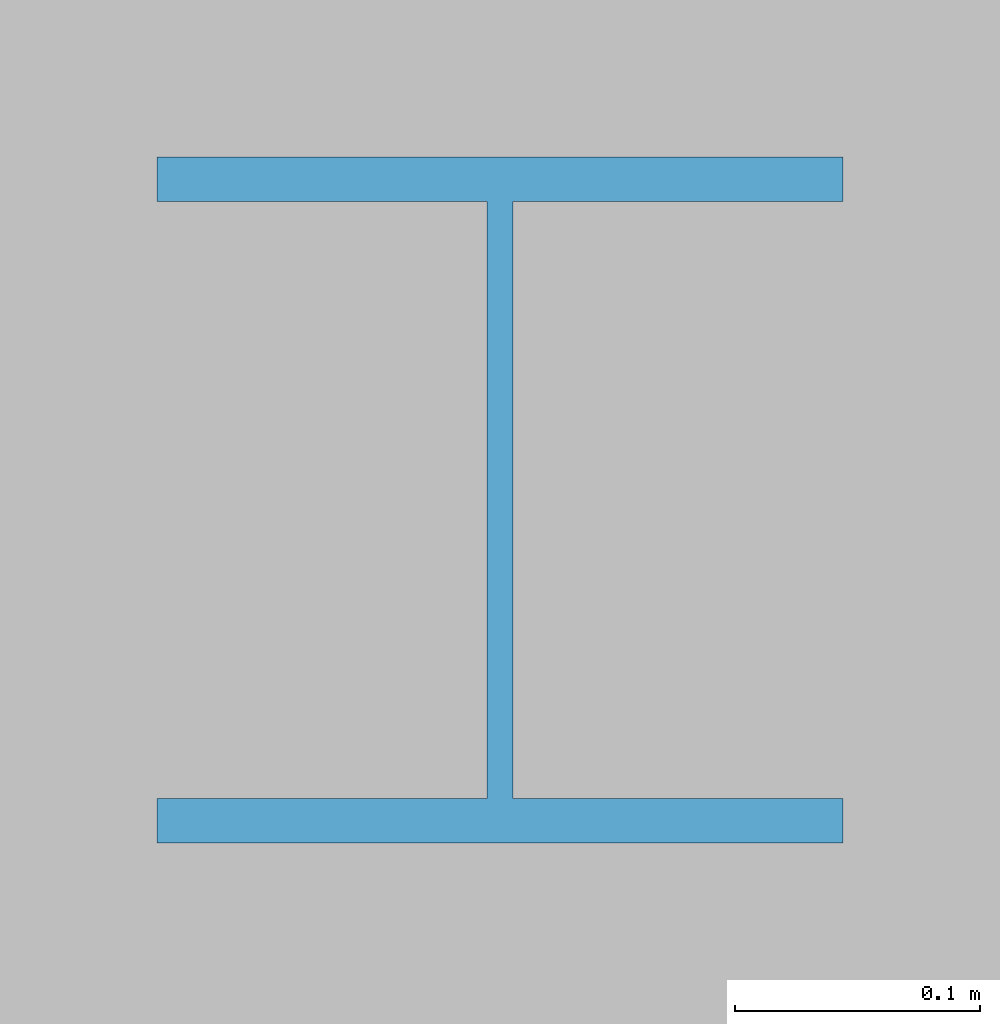
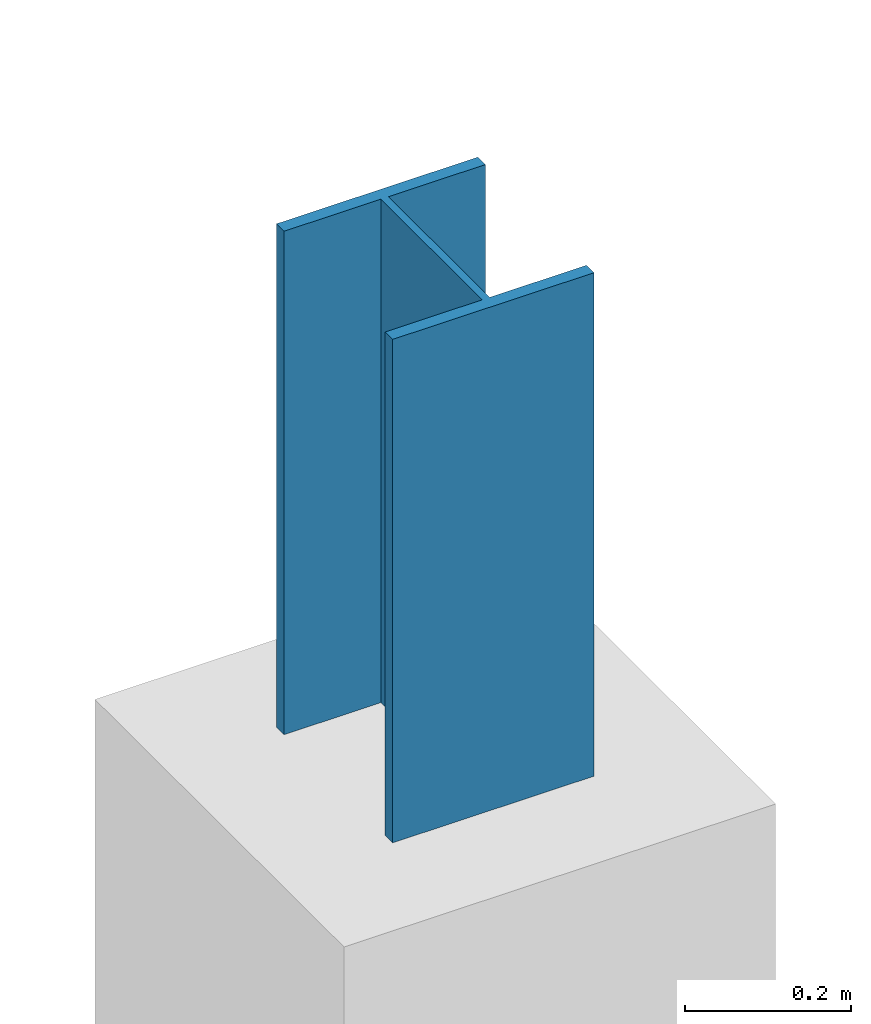
# One storey, part 14 of 108: 1 column.
"""IFC4 building model written with IfcOpenShell, lengths in metres."""

import ifcopenshell
import ifcopenshell.guid

model = None  # the IFC model being written
_history = None  # IfcOwnerHistory: only IFC2X3 demands one
_inside = {}  # id of a spatial element -> (the spatial element, [elements in it])
_under = {}  # id of a project, library or spatial element -> (it, [spatial elements below it])
_declared = {}  # id of a project -> (the project, [libraries it declares])
_typed = {}  # id of a type object -> (the type object, [elements of that type])
_made_of = {}  # id of a material, layer set ... -> (it, [elements and type objects made of it])


def new_model(schema):
    """Start an empty IFC model of exactly this schema.

    Asked for "IFC4X3", IfcOpenShell would pick the latest addendum, in which some entities
    have other attributes; the version numbers below select the first issue.
    IFC2X3 requires an IfcOwnerHistory on every rooted entity: one is made here for all.
    """
    global model, _history
    if schema == "IFC4X3":
        model = ifcopenshell.file(schema_version=(4, 3, 0, 0))
    else:
        model = ifcopenshell.file(schema=schema)
    _inside.clear()
    _under.clear()
    _declared.clear()
    _typed.clear()
    _made_of.clear()
    _history = None
    if model.schema == "IFC2X3":
        org = make("IfcOrganization", Name="unknown")
        user = make(
            "IfcPersonAndOrganization",
            ThePerson=make("IfcPerson", FamilyName="unknown"),
            TheOrganization=org,
        )
        app = make(
            "IfcApplication",
            ApplicationDeveloper=org,
            Version="unknown",
            ApplicationFullName="unknown",
            ApplicationIdentifier="unknown",
        )
        _history = make(
            "IfcOwnerHistory",
            OwningUser=user,
            OwningApplication=app,
            ChangeAction="ADDED",
            CreationDate=0,
        )
    return model


def make(cls, **values):
    """One entity of the class cls with the attributes given. An attribute that is None is left unset."""
    return model.create_entity(
        cls, **{name: value for name, value in values.items() if value is not None}
    )


def rooted(cls, **values):
    """An entity with a GlobalId (a new one), such as an element, a storey or a relation."""
    return make(cls, GlobalId=ifcopenshell.guid.new(), OwnerHistory=_history, **values)


def si_unit(unit_type, name, prefix=None):
    """IfcSIUnit, for example si_unit("LENGTHUNIT", "METRE", prefix="MILLI")."""
    return make("IfcSIUnit", UnitType=unit_type, Prefix=prefix, Name=name)


def assignment(units):
    """IfcUnitAssignment: the units of a project."""
    return None if units is None else make("IfcUnitAssignment", Units=units)


def point(xyz):
    """IfcCartesianPoint."""
    return None if xyz is None else make("IfcCartesianPoint", Coordinates=xyz)


def direction(xyz):
    """IfcDirection."""
    return None if xyz is None else make("IfcDirection", DirectionRatios=xyz)


def frame(location, z_axis=None, x_axis=None):
    """IfcAxis2Placement3D, a coordinate frame: its origin and axes. An axis left out is left unset."""
    return make(
        "IfcAxis2Placement3D",
        Location=point(location),
        Axis=direction(z_axis),
        RefDirection=direction(x_axis),
    )


def frame_2d(location, x_axis=None):
    """IfcAxis2Placement2D, a coordinate frame in the plane: its origin and x axis."""
    return make(
        "IfcAxis2Placement2D", Location=point(location), RefDirection=direction(x_axis)
    )


def origin():
    """The frame at (0, 0, 0) with its axes left unset."""
    return frame((0.0, 0.0, 0.0))


def origin_2d():
    """The frame at (0, 0) in the plane with its x axis left unset."""
    return frame_2d((0.0, 0.0))


def place(relative_to, where):
    """IfcLocalPlacement: puts the frame where relative to a parent placement (None: the world)."""
    return make(
        "IfcLocalPlacement", PlacementRelTo=relative_to, RelativePlacement=where
    )


def context(
    kind, dimensions, precision=None, world=None, true_north=None, identifier=None
):
    """IfcGeometricRepresentationContext, for example the 3D "Model" context."""
    return make(
        "IfcGeometricRepresentationContext",
        ContextIdentifier=identifier,
        ContextType=kind,
        CoordinateSpaceDimension=dimensions,
        Precision=precision,
        WorldCoordinateSystem=world,
        TrueNorth=true_north,
    )


def subcontext(parent, identifier, kind, view, scale=None):
    """IfcGeometricRepresentationSubContext, for example "Body" below "Model"."""
    return make(
        "IfcGeometricRepresentationSubContext",
        ContextIdentifier=identifier,
        ContextType=kind,
        ParentContext=parent,
        TargetScale=scale,
        TargetView=view,
    )


def project(units=None, contexts=None):
    """IfcProject with its units and contexts."""
    return rooted(
        "IfcProject",
        Name="project",
        RepresentationContexts=contexts,
        UnitsInContext=assignment(units),
    )


def spatial(cls, under=None, at=None, **own):
    """A site, building, storey or space (cls), placed at a placement, below another one or the project."""
    s = rooted(cls, ObjectPlacement=at, **own)
    if under is not None:
        _under.setdefault(under.id(), (under, []))[1].append(s)
    return s


def profile(cls, at=None, kind="AREA", **sizes):
    """A parametric profile (cls). Its sizes go by their IFC names, for example OverallWidth=200.0."""
    return make(cls, ProfileType=kind, Position=at, **sizes)


def i_section(**sizes):
    """IfcIShapeProfileDef."""
    return profile("IfcIShapeProfileDef", **sizes)


def extrude(swept, where, along, depth):
    """IfcExtrudedAreaSolid: the profile swept, set in the frame where, extruded along a direction by depth."""
    return make(
        "IfcExtrudedAreaSolid",
        SweptArea=swept,
        Position=where,
        ExtrudedDirection=direction(along),
        Depth=depth,
    )


def shape(context_of_items, identifier, shape_type, items):
    """IfcShapeRepresentation: the items that make up one representation, for example the "Body"."""
    return make(
        "IfcShapeRepresentation",
        ContextOfItems=context_of_items,
        RepresentationIdentifier=identifier,
        RepresentationType=shape_type,
        Items=items,
    )


def material(Name=None, Category=None):
    """IfcMaterial."""
    return make("IfcMaterial", Name=Name, Category=Category)


def material_profile(
    of_material, cross_section, Name=None, Category=None, Priority=None
):
    """IfcMaterialProfile: a cross section and its material."""
    return make(
        "IfcMaterialProfile",
        Name=Name,
        Material=of_material,
        Profile=cross_section,
        Priority=Priority,
        Category=Category,
    )


def profile_set(profiles, Name=None, composite=None):
    """IfcMaterialProfileSet."""
    return make(
        "IfcMaterialProfileSet",
        Name=Name,
        MaterialProfiles=profiles,
        CompositeProfile=composite,
    )


def made_of(thing, what):
    """Note that an element or type object is made of a material, layer set ...; save() writes the relation."""
    if what is not None:
        _made_of.setdefault(what.id(), (what, []))[1].append(thing)
    return thing


def type_object(cls, material=None, **own):
    """A type object (cls), such as IfcWallType, which elements share."""
    return made_of(rooted(cls, **own), material)


def element(
    cls,
    number,
    at=None,
    inside=None,
    cuts=None,
    type_object=None,
    material=None,
    context=None,
    identifier="Body",
    shape_type=None,
    held_by="IfcProductDefinitionShape",
    body=None,
    shapes=None,
    **own,
):
    """One element of the class cls, such as IfcWall. Its Tag is "e" and its number.

    at: its placement. inside: the storey or other place that contains it. cuts: it is an
    opening in that element (IfcRelVoidsElement). A single representation is given by context,
    identifier, shape_type and body (its items); several are given by shapes. held_by: the class
    of the entity that holds the representations. save() writes the other relations.
    """
    e = rooted(cls, Tag="e%d" % number, ObjectPlacement=at, **own)
    if body is not None:
        shapes = [shape(context, identifier, shape_type, body)]
    if shapes is not None:
        e.Representation = make(held_by, Representations=shapes)
    if inside is not None:
        _inside.setdefault(inside.id(), (inside, []))[1].append(e)
    if cuts is not None:
        rooted(
            "IfcRelVoidsElement", RelatingBuildingElement=cuts, RelatedOpeningElement=e
        )
    if type_object is not None:
        _typed.setdefault(type_object.id(), (type_object, []))[1].append(e)
    return made_of(e, material)


def aggregate(whole, parts):
    """IfcRelAggregates: a whole, such as a stair, and the parts it consists of."""
    return rooted("IfcRelAggregates", RelatingObject=whole, RelatedObjects=parts)


def save(model, path):
    """Write the relations noted so far, then the file.

    IfcRelAggregates (storeys below a building ...), IfcRelContainedInSpatialStructure (elements
    in a storey), IfcRelDefinesByType, IfcRelAssociatesMaterial and IfcRelDeclares: one each for
    every whole, place, type object, material and project.
    """
    for whole, parts in _under.values():
        aggregate(whole, parts)
    for where, things in _inside.values():
        rooted(
            "IfcRelContainedInSpatialStructure",
            RelatedElements=things,
            RelatingStructure=where,
        )
    for kind, things in _typed.values():
        rooted("IfcRelDefinesByType", RelatedObjects=things, RelatingType=kind)
    for what, things in _made_of.values():
        rooted("IfcRelAssociatesMaterial", RelatedObjects=things, RelatingMaterial=what)
    for by, libraries in _declared.values():
        rooted("IfcRelDeclares", RelatingContext=by, RelatedDefinitions=libraries)
    model.write(path)


model = new_model("IFC4")

# Units and contexts
model_context = context("Model", 3, precision=1e-05, world=origin(), true_north=direction((0.0, 1.0)))
body_context = subcontext(model_context, "Body", "Model", "MODEL_VIEW")
ifc_project = project(units=[si_unit("LENGTHUNIT", "METRE"), si_unit("AREAUNIT", "SQUARE_METRE"), si_unit("VOLUMEUNIT", "CUBIC_METRE"), si_unit("PLANEANGLEUNIT", "RADIAN"), si_unit("MASSUNIT", "GRAM", prefix="KILO")], contexts=[model_context])

# Site, building, storey
site_placement = place(None, origin())
site = spatial("IfcSite", under=ifc_project, at=site_placement, CompositionType="ELEMENT")
building_placement = place(site_placement, origin())
building = spatial("IfcBuilding", under=site, at=building_placement, Name="Lykobir Media Centre", CompositionType="ELEMENT")
storey_placement = place(building_placement, frame((0.0, 0.0, 15.0)))
storey = spatial("IfcBuildingStorey", under=building, at=storey_placement, Name="L03", CompositionType="ELEMENT", Elevation=15.0)

# Column
ifc_material = material(Name="Steel S355", Category="steel")
ifc_material_profile = material_profile(ifc_material, i_section(OverallWidth=0.280029296875, OverallDepth=0.280029296875, WebThickness=0.010498046875, FlangeThickness=0.01806640625, at=origin_2d()), Name="HEB 280")
ifc_profile_set = profile_set([ifc_material_profile], Name="Steel S355")
column_type = type_object("IfcColumnType", Name="SC-HEB280-E", PredefinedType="COLUMN", material=ifc_profile_set)
column_placement = place(storey_placement, frame((81.0, 108.0, 4.199951171875), z_axis=(0.0, 0.0, 1.0), x_axis=(1.0, 0.0, 0.0)))
element("IfcColumn", 1, at=column_placement, inside=storey, type_object=column_type, Name="V6 roof portal post 81-108", PredefinedType="COLUMN", context=body_context, shape_type="SweptSolid", body=[
    extrude(i_section(OverallWidth=0.280029296875, OverallDepth=0.280029296875, WebThickness=0.010498046875, FlangeThickness=0.01806640625, at=origin_2d()), origin(), (0.0, 0.0, 1.0), 0.739990234375),
])

save(model, "model.ifc")
